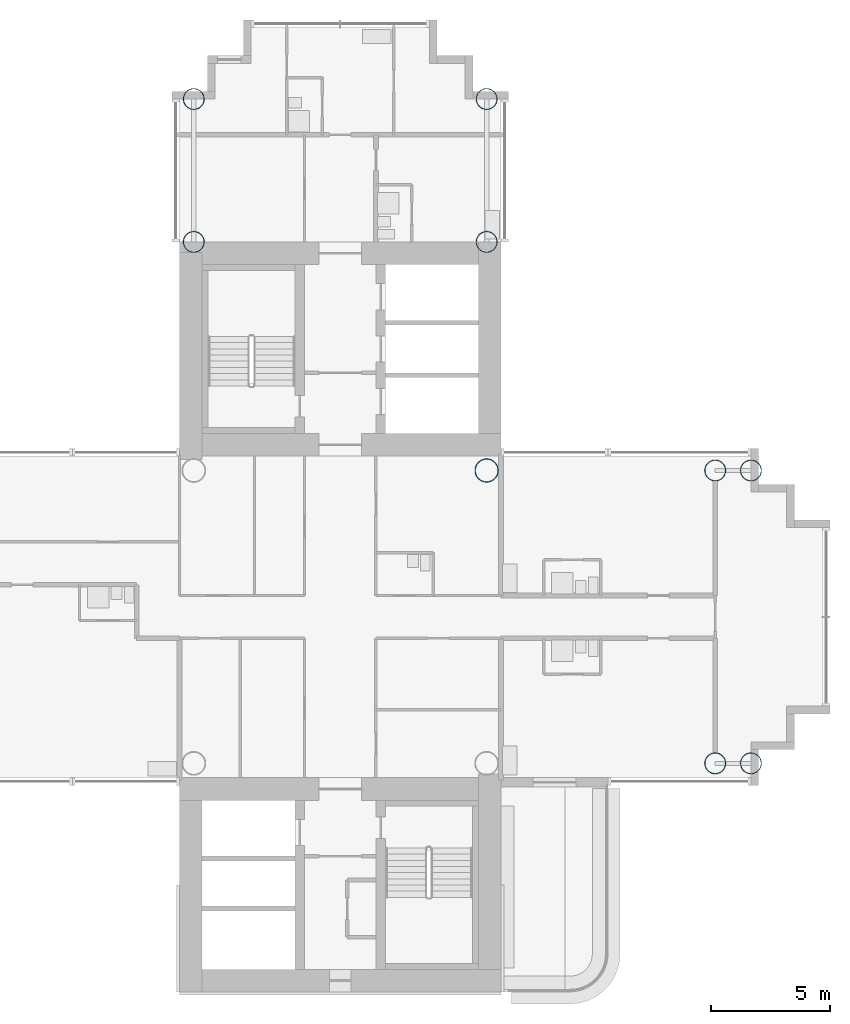
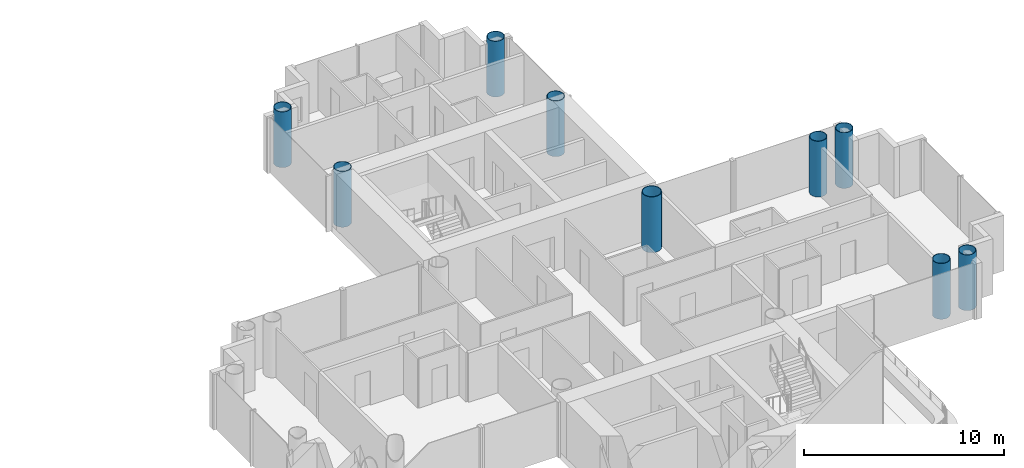
# One storey, part 2 of 22: 9 columns.
"""IFC4 building model written with IfcOpenShell, lengths in metres."""

from ifc_helpers import new_model, si_unit, direction, frame, origin, origin_2d, place, context, subcontext, project, spatial, hollow_circle, extrude, material, material_profile, profile_set, type_object, element, save


model = new_model("IFC4")

# Units and contexts
model_context = context("Model", 3, precision=1e-05, world=origin(), true_north=direction((0.0, 1.0)))
body_context = subcontext(model_context, "Body", "Model", "MODEL_VIEW")
ifc_project = project(units=[si_unit("LENGTHUNIT", "METRE"), si_unit("AREAUNIT", "SQUARE_METRE"), si_unit("VOLUMEUNIT", "CUBIC_METRE"), si_unit("PLANEANGLEUNIT", "RADIAN"), si_unit("MASSUNIT", "GRAM", prefix="KILO")], contexts=[model_context])

# Site, building, storey
site_placement = place(None, origin())
site = spatial("IfcSite", under=ifc_project, at=site_placement, CompositionType="ELEMENT")
building_placement = place(site_placement, origin())
building = spatial("IfcBuilding", under=site, at=building_placement, Name="Ipe Terrace Towers", CompositionType="ELEMENT")
storey_placement = place(building_placement, frame((0.0, 0.0, 90.199951171875)))
storey = spatial("IfcBuildingStorey", under=building, at=storey_placement, Name="L24", CompositionType="ELEMENT", Elevation=90.199951171875)

# Columns
ifc_material_1 = material(Name="Steel S355 tube with Concrete C60/75 fill", Category="concrete")
ifc_material_profile_1 = material_profile(ifc_material_1, hollow_circle(Radius=0.5, WallThickness=0.035888671875, at=origin_2d()), Name="CHS-1000x36")
ifc_profile_set_1 = profile_set([ifc_material_profile_1], Name="Steel S355 tube with Concrete C60/75 fill")
column_type_1 = type_object("IfcColumnType", Name="CH01 COLUMN CHS-1000x36", PredefinedType="COLUMN", material=ifc_profile_set_1)
column_placement = place(storey_placement, frame((42.14990234375, 6.14990234375, 0.0), z_axis=(0.0, 0.0, 1.0), x_axis=(1.0, 0.0, 0.0)))
element("IfcColumn", 1, at=column_placement, inside=storey, type_object=column_type_1, Name="Column T2-C-E02", PredefinedType="COLUMN", context=body_context, shape_type="SweptSolid", body=[
    extrude(hollow_circle(Radius=0.5, WallThickness=0.035888671875, at=origin_2d()), origin(), (0.0, 0.0, 1.0), 3.400146484375),
])
ifc_material_2 = material(Name="Steel S355 tube with Concrete C60/75 fill", Category="concrete")
ifc_material_profile_2 = material_profile(ifc_material_2, hollow_circle(Radius=0.449951171875, WallThickness=0.031982421875, at=origin_2d()), Name="CHS-900x32")
ifc_profile_set_2 = profile_set([ifc_material_profile_2], Name="Steel S355 tube with Concrete C60/75 fill")
column_type_2 = type_object("IfcColumnType", Name="CH10 COLUMN CHS-900x32", PredefinedType="COLUMN", material=ifc_profile_set_2)
for number, where, z_axis, x_axis, name in (
    (2, (42.14990234375, 15.75, 0.0), (0.0, 0.0, 1.0), (1.0, 0.0, 0.0), "Column T2-C-A01"),
    (3, (29.85009765625, 15.75, 0.0), (0.0, 0.0, 1.0), (1.0, 0.0, 0.0), "Column T2-C-A02"),
    (4, (42.14990234375, 21.75, 0.0), (0.0, 0.0, 1.0), (1.0, 0.0, 0.0), "Column T2-C-A03"),
    (5, (29.85009765625, 21.75, 0.0), (0.0, 0.0, 1.0), (1.0, 0.0, 0.0), "Column T2-C-A04"),
    (6, (51.75, -6.14990234375, 0.0), (0.0, 0.0, 1.0), (1.0, 0.0, 0.0), "Column T2-C-D03"),
    (7, (51.75, 6.14990234375, 0.0), (0.0, 0.0, 1.0), (1.0, 0.0, 0.0), "Column T2-C-D04"),
    (8, (53.25, -6.14990234375, 0.0), (0.0, 0.0, 1.0), (1.0, 0.0, 0.0), "Column T2-C-D05"),
    (9, (53.25, 6.14990234375, 0.0), (0.0, 0.0, 1.0), (1.0, 0.0, 0.0), "Column T2-C-D06"),
):
    element("IfcColumn", number, at=place(storey_placement, frame(where, z_axis=z_axis, x_axis=x_axis)), inside=storey, type_object=column_type_2, Name=name, PredefinedType="COLUMN", context=body_context, shape_type="SweptSolid", body=[
        extrude(hollow_circle(Radius=0.449951171875, WallThickness=0.031982421875, at=origin_2d()), origin(), (0.0, 0.0, 1.0), 3.400146484375),
    ])

save(model, "model.ifc")
